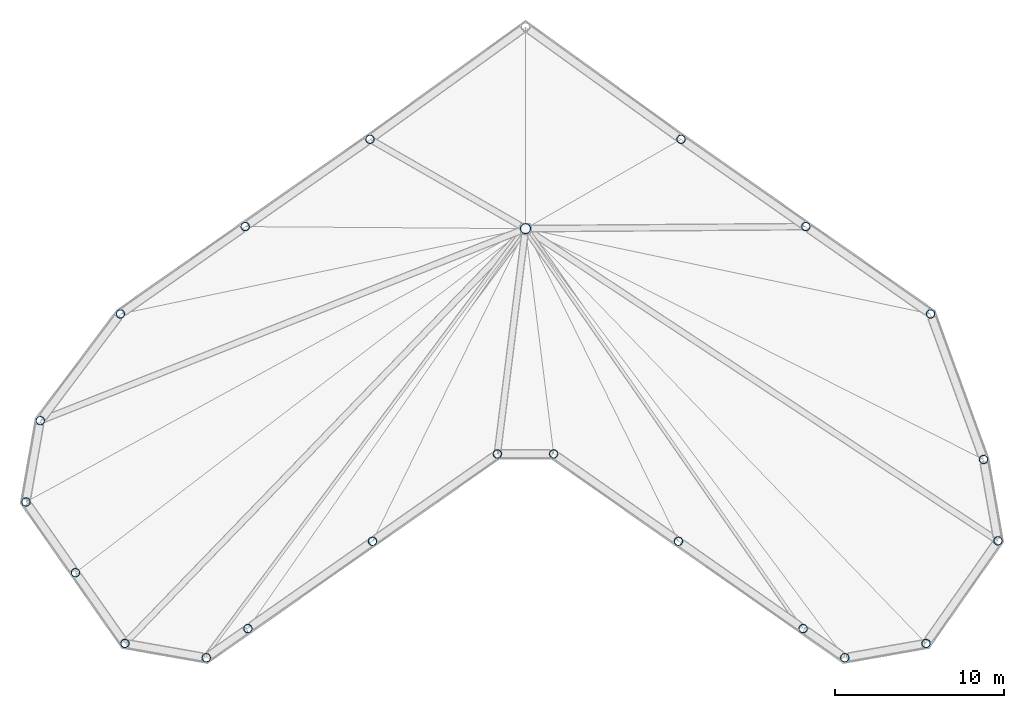
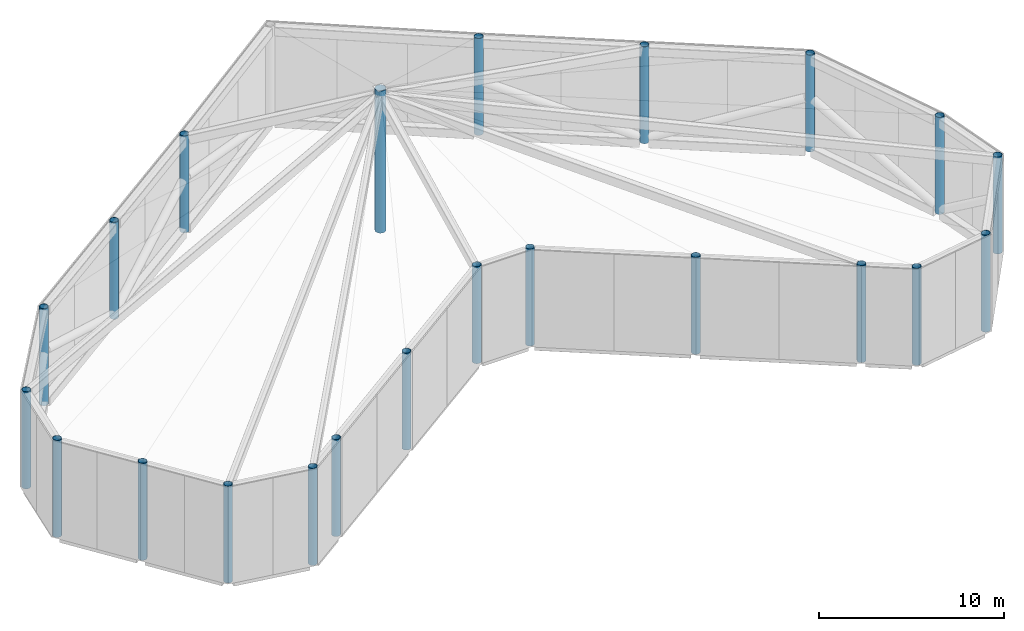
# One storey, part 1 of 4: 22 columns.
"""IFC4 building model written with IfcOpenShell, lengths in metres."""

from ifc_helpers import new_model, si_unit, direction, frame, origin, origin_with_axes, origin_2d, place, context, subcontext, project, spatial, hollow_circle, extrude, material, material_profile, profile_set, type_object, element, save


model = new_model("IFC4")

# Units and contexts
model_context = context("Model", 3, precision=1e-05, world=origin(), true_north=direction((0.0, 1.0)))
body_context = subcontext(model_context, "Body", "Model", "MODEL_VIEW")
ifc_project = project(units=[si_unit("LENGTHUNIT", "METRE"), si_unit("AREAUNIT", "SQUARE_METRE"), si_unit("VOLUMEUNIT", "CUBIC_METRE"), si_unit("PLANEANGLEUNIT", "RADIAN"), si_unit("MASSUNIT", "GRAM", prefix="KILO")], contexts=[model_context])

# Site, building, storey
site_placement = place(None, origin())
site = spatial("IfcSite", under=ifc_project, at=site_placement, CompositionType="ELEMENT")
building_placement = place(site_placement, origin())
building = spatial("IfcBuilding", under=site, at=building_placement, Name="Tel Ilan Convention Tower", CompositionType="ELEMENT")
storey_placement = place(building_placement, frame((0.0, 0.0, 338.800048828125)))
storey = spatial("IfcBuildingStorey", under=building, at=storey_placement, Name="L80", CompositionType="ELEMENT", Elevation=338.800048828125)

# Columns
ifc_material_1 = material(Name="Steel S355", Category="steel")
ifc_material_profile_1 = material_profile(ifc_material_1, hollow_circle(Radius=0.25390625, WallThickness=0.02490234375, at=origin_2d()), Name="CHS 508x25")
ifc_profile_set_1 = profile_set([ifc_material_profile_1], Name="Steel S355")
column_type_1 = type_object("IfcColumnType", Name="CROWN FRAME COLUMN CHS 508x25", PredefinedType="COLUMN", material=ifc_profile_set_1)
for number, where, z_axis, x_axis, name in (
    (1, (-18.866943359375, -25.35791015625, 0.0), (0.0, 0.0, 1.0), (1.0, 0.0, 0.0), "CROWN FRAME column"),
    (2, (-16.409912109375, -23.636962890625, 0.0), (0.0, 0.0, 1.0), (1.0, 0.0, 0.0), "CROWN FRAME column"),
    (3, (-9.0380859375, -18.47509765625, 0.0), (0.0, 0.0, 1.0), (1.0, 0.0, 0.0), "CROWN FRAME column"),
    (4, (-1.6650390625, -13.31298828125, 0.0), (0.0, 0.0, 1.0), (1.0, 0.0, 0.0), "CROWN FRAME column"),
    (5, (1.6650390625, -13.31298828125, 0.0), (0.0, 0.0, 1.0), (1.0, 0.0, 0.0), "CROWN FRAME column"),
    (6, (9.0380859375, -18.47509765625, 0.0), (0.0, 0.0, 1.0), (1.0, 0.0, 0.0), "CROWN FRAME column"),
    (7, (16.409912109375, -23.636962890625, 0.0), (0.0, 0.0, 1.0), (1.0, 0.0, 0.0), "CROWN FRAME column"),
    (8, (18.866943359375, -25.35791015625, 0.0), (0.0, 0.0, 1.0), (1.0, 0.0, 0.0), "CROWN FRAME column"),
    (9, (23.672119140625, -24.510986328125, 0.0), (0.0, 0.0, 1.0), (1.0, 0.0, 0.0), "CROWN FRAME column"),
    (10, (27.9169921875, -18.448974609375, 0.0), (0.0, 0.0, 1.0), (1.0, 0.0, 0.0), "CROWN FRAME column"),
    (11, (27.070068359375, -13.64404296875, 0.0), (0.0, 0.0, 1.0), (1.0, 0.0, 0.0), "CROWN FRAME column"),
    (12, (23.93701171875, -5.0419921875, 0.0), (0.0, 0.0, 1.0), (1.0, 0.0, 0.0), "CROWN FRAME column"),
    (13, (16.56494140625, 0.12109375, 0.0), (0.0, 0.0, 1.0), (1.0, 0.0, 0.0), "CROWN FRAME column"),
    (14, (9.193115234375, 5.282958984375, 0.0), (0.0, 0.0, 1.0), (1.0, 0.0, 0.0), "CROWN FRAME column"),
    (15, (-9.193115234375, 5.282958984375, 0.0), (0.0, 0.0, 1.0), (1.0, 0.0, 0.0), "CROWN FRAME column"),
    (16, (-16.56494140625, 0.12109375, 0.0), (0.0, 0.0, 1.0), (1.0, 0.0, 0.0), "CROWN FRAME column"),
    (17, (-23.93701171875, -5.0419921875, 0.0), (0.0, 0.0, 1.0), (1.0, 0.0, 0.0), "CROWN FRAME column"),
    (18, (-28.676025390625, -11.35009765625, 0.0), (0.0, 0.0, 1.0), (1.0, 0.0, 0.0), "CROWN FRAME column"),
    (19, (-29.52294921875, -16.155029296875, 0.0), (0.0, 0.0, 1.0), (1.0, 0.0, 0.0), "CROWN FRAME column"),
    (20, (-26.597900390625, -20.3330078125, 0.0), (0.0, 0.0, 1.0), (1.0, 0.0, 0.0), "CROWN FRAME column"),
    (21, (-23.672119140625, -24.510986328125, 0.0), (0.0, 0.0, 1.0), (1.0, 0.0, 0.0), "CROWN FRAME column"),
):
    element("IfcColumn", number, at=place(storey_placement, frame(where, z_axis=z_axis, x_axis=x_axis)), inside=storey, type_object=column_type_1, Name=name, PredefinedType="COLUMN", context=body_context, shape_type="SweptSolid", body=[
        extrude(hollow_circle(Radius=0.25390625, WallThickness=0.02490234375, at=origin_2d()), origin(), (0.0, 0.0, 1.0), 6.39990234375),
    ])
ifc_material_2 = material(Name="Steel S355", Category="steel")
ifc_material_profile_2 = material_profile(ifc_material_2, hollow_circle(Radius=0.304931640625, WallThickness=0.02001953125, at=origin_2d()), Name="CHS 610x20")
ifc_profile_set_2 = profile_set([ifc_material_profile_2], Name="Steel S355")
column_type_2 = type_object("IfcColumnType", Name="CROWN FRAME MAST CHS 610x20", PredefinedType="COLUMN", material=ifc_profile_set_2)
column_placement = place(storey_placement, origin_with_axes())
element("IfcColumn", 22, at=column_placement, inside=storey, type_object=column_type_2, Name="CROWN FRAME mast", PredefinedType="COLUMN", context=body_context, shape_type="SweptSolid", body=[
    extrude(hollow_circle(Radius=0.304931640625, WallThickness=0.02001953125, at=origin_2d()), origin(), (0.0, 0.0, 1.0), 9.39990234375),
])

save(model, "model.ifc")
